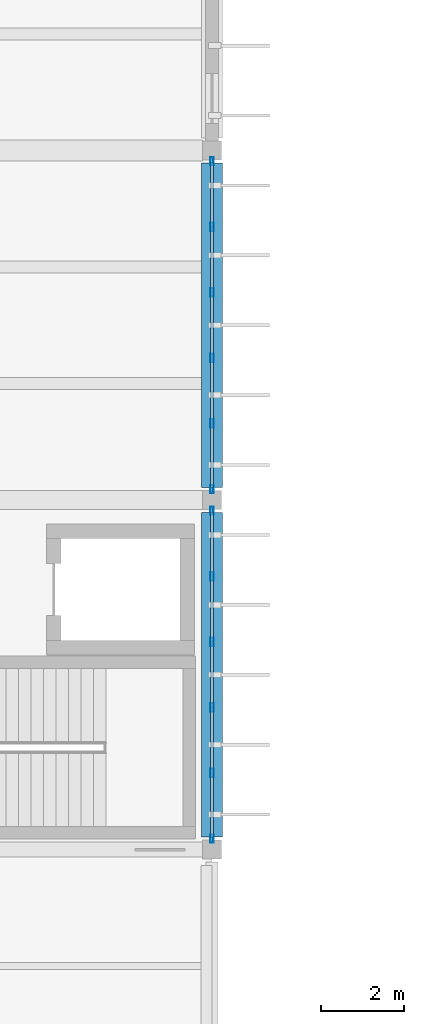
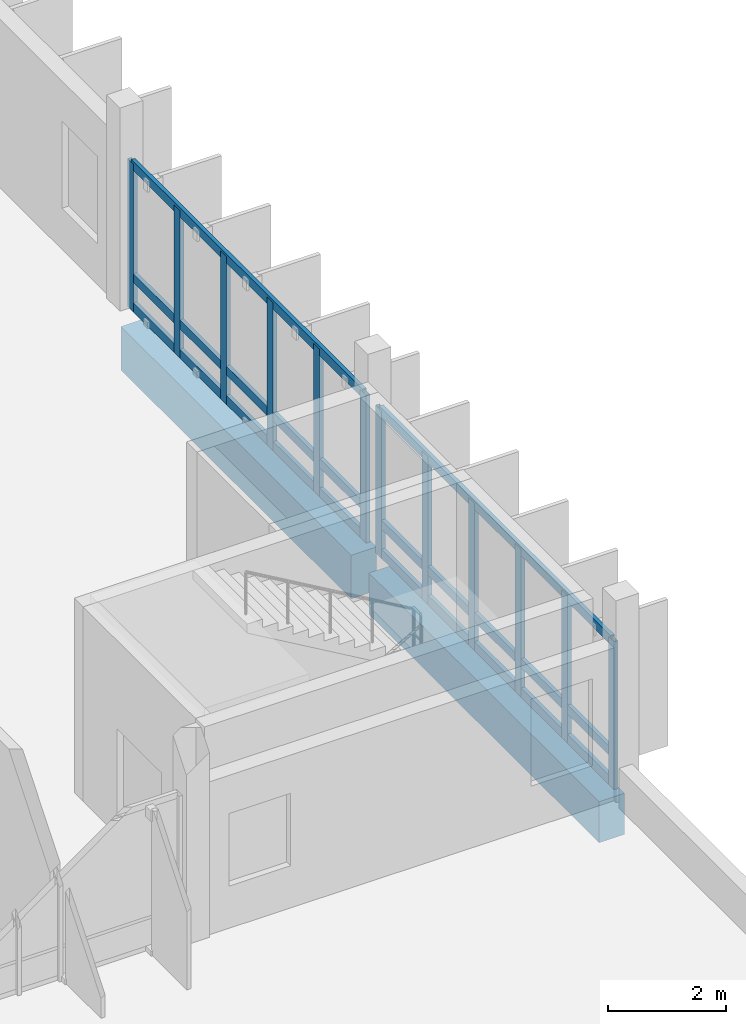
# One storey, part 31 of 62: 18 members, 2 beams, 2 elements without a shape of their own.
"""IFC4 building model written with IfcOpenShell, lengths in metres."""

import ifcopenshell
import ifcopenshell.guid

model = None  # the IFC model being written
_history = None  # IfcOwnerHistory: only IFC2X3 demands one
_inside = {}  # id of a spatial element -> (the spatial element, [elements in it])
_under = {}  # id of a project, library or spatial element -> (it, [spatial elements below it])
_declared = {}  # id of a project -> (the project, [libraries it declares])
_typed = {}  # id of a type object -> (the type object, [elements of that type])
_made_of = {}  # id of a material, layer set ... -> (it, [elements and type objects made of it])


def new_model(schema):
    """Start an empty IFC model of exactly this schema.

    Asked for "IFC4X3", IfcOpenShell would pick the latest addendum, in which some entities
    have other attributes; the version numbers below select the first issue.
    IFC2X3 requires an IfcOwnerHistory on every rooted entity: one is made here for all.
    """
    global model, _history
    if schema == "IFC4X3":
        model = ifcopenshell.file(schema_version=(4, 3, 0, 0))
    else:
        model = ifcopenshell.file(schema=schema)
    _inside.clear()
    _under.clear()
    _declared.clear()
    _typed.clear()
    _made_of.clear()
    _history = None
    if model.schema == "IFC2X3":
        org = make("IfcOrganization", Name="unknown")
        user = make(
            "IfcPersonAndOrganization",
            ThePerson=make("IfcPerson", FamilyName="unknown"),
            TheOrganization=org,
        )
        app = make(
            "IfcApplication",
            ApplicationDeveloper=org,
            Version="unknown",
            ApplicationFullName="unknown",
            ApplicationIdentifier="unknown",
        )
        _history = make(
            "IfcOwnerHistory",
            OwningUser=user,
            OwningApplication=app,
            ChangeAction="ADDED",
            CreationDate=0,
        )
    return model


def make(cls, **values):
    """One entity of the class cls with the attributes given. An attribute that is None is left unset."""
    return model.create_entity(
        cls, **{name: value for name, value in values.items() if value is not None}
    )


def rooted(cls, **values):
    """An entity with a GlobalId (a new one), such as an element, a storey or a relation."""
    return make(cls, GlobalId=ifcopenshell.guid.new(), OwnerHistory=_history, **values)


def si_unit(unit_type, name, prefix=None):
    """IfcSIUnit, for example si_unit("LENGTHUNIT", "METRE", prefix="MILLI")."""
    return make("IfcSIUnit", UnitType=unit_type, Prefix=prefix, Name=name)


def assignment(units):
    """IfcUnitAssignment: the units of a project."""
    return None if units is None else make("IfcUnitAssignment", Units=units)


def point(xyz):
    """IfcCartesianPoint."""
    return None if xyz is None else make("IfcCartesianPoint", Coordinates=xyz)


def direction(xyz):
    """IfcDirection."""
    return None if xyz is None else make("IfcDirection", DirectionRatios=xyz)


def frame(location, z_axis=None, x_axis=None):
    """IfcAxis2Placement3D, a coordinate frame: its origin and axes. An axis left out is left unset."""
    return make(
        "IfcAxis2Placement3D",
        Location=point(location),
        Axis=direction(z_axis),
        RefDirection=direction(x_axis),
    )


def frame_2d(location, x_axis=None):
    """IfcAxis2Placement2D, a coordinate frame in the plane: its origin and x axis."""
    return make(
        "IfcAxis2Placement2D", Location=point(location), RefDirection=direction(x_axis)
    )


def origin():
    """The frame at (0, 0, 0) with its axes left unset."""
    return frame((0.0, 0.0, 0.0))


def origin_2d():
    """The frame at (0, 0) in the plane with its x axis left unset."""
    return frame_2d((0.0, 0.0))


def place(relative_to, where):
    """IfcLocalPlacement: puts the frame where relative to a parent placement (None: the world)."""
    return make(
        "IfcLocalPlacement", PlacementRelTo=relative_to, RelativePlacement=where
    )


def context(
    kind, dimensions, precision=None, world=None, true_north=None, identifier=None
):
    """IfcGeometricRepresentationContext, for example the 3D "Model" context."""
    return make(
        "IfcGeometricRepresentationContext",
        ContextIdentifier=identifier,
        ContextType=kind,
        CoordinateSpaceDimension=dimensions,
        Precision=precision,
        WorldCoordinateSystem=world,
        TrueNorth=true_north,
    )


def subcontext(parent, identifier, kind, view, scale=None):
    """IfcGeometricRepresentationSubContext, for example "Body" below "Model"."""
    return make(
        "IfcGeometricRepresentationSubContext",
        ContextIdentifier=identifier,
        ContextType=kind,
        ParentContext=parent,
        TargetScale=scale,
        TargetView=view,
    )


def project(units=None, contexts=None):
    """IfcProject with its units and contexts."""
    return rooted(
        "IfcProject",
        Name="project",
        RepresentationContexts=contexts,
        UnitsInContext=assignment(units),
    )


def spatial(cls, under=None, at=None, **own):
    """A site, building, storey or space (cls), placed at a placement, below another one or the project."""
    s = rooted(cls, ObjectPlacement=at, **own)
    if under is not None:
        _under.setdefault(under.id(), (under, []))[1].append(s)
    return s


def profile(cls, at=None, kind="AREA", **sizes):
    """A parametric profile (cls). Its sizes go by their IFC names, for example OverallWidth=200.0."""
    return make(cls, ProfileType=kind, Position=at, **sizes)


def rectangle(**sizes):
    """IfcRectangleProfileDef."""
    return profile("IfcRectangleProfileDef", **sizes)


def hollow_rectangle(**sizes):
    """IfcRectangleHollowProfileDef."""
    return profile("IfcRectangleHollowProfileDef", **sizes)


def extrude(swept, where, along, depth):
    """IfcExtrudedAreaSolid: the profile swept, set in the frame where, extruded along a direction by depth."""
    return make(
        "IfcExtrudedAreaSolid",
        SweptArea=swept,
        Position=where,
        ExtrudedDirection=direction(along),
        Depth=depth,
    )


def shape(context_of_items, identifier, shape_type, items):
    """IfcShapeRepresentation: the items that make up one representation, for example the "Body"."""
    return make(
        "IfcShapeRepresentation",
        ContextOfItems=context_of_items,
        RepresentationIdentifier=identifier,
        RepresentationType=shape_type,
        Items=items,
    )


def material(Name=None, Category=None):
    """IfcMaterial."""
    return make("IfcMaterial", Name=Name, Category=Category)


def layer(
    of_material, thickness, ventilated=None, Name=None, Category=None, Priority=None
):
    """IfcMaterialLayer: one layer of a wall or slab, of a material (None: an air gap)."""
    return make(
        "IfcMaterialLayer",
        Material=of_material,
        LayerThickness=thickness,
        IsVentilated=ventilated,
        Name=Name,
        Category=Category,
        Priority=Priority,
    )


def layer_set(layers, Name=None):
    """IfcMaterialLayerSet."""
    return make("IfcMaterialLayerSet", MaterialLayers=layers, LayerSetName=Name)


def material_profile(
    of_material, cross_section, Name=None, Category=None, Priority=None
):
    """IfcMaterialProfile: a cross section and its material."""
    return make(
        "IfcMaterialProfile",
        Name=Name,
        Material=of_material,
        Profile=cross_section,
        Priority=Priority,
        Category=Category,
    )


def profile_set(profiles, Name=None, composite=None):
    """IfcMaterialProfileSet."""
    return make(
        "IfcMaterialProfileSet",
        Name=Name,
        MaterialProfiles=profiles,
        CompositeProfile=composite,
    )


def made_of(thing, what):
    """Note that an element or type object is made of a material, layer set ...; save() writes the relation."""
    if what is not None:
        _made_of.setdefault(what.id(), (what, []))[1].append(thing)
    return thing


def type_object(cls, material=None, **own):
    """A type object (cls), such as IfcWallType, which elements share."""
    return made_of(rooted(cls, **own), material)


def element(
    cls,
    number,
    at=None,
    inside=None,
    cuts=None,
    type_object=None,
    material=None,
    context=None,
    identifier="Body",
    shape_type=None,
    held_by="IfcProductDefinitionShape",
    body=None,
    shapes=None,
    **own,
):
    """One element of the class cls, such as IfcWall. Its Tag is "e" and its number.

    at: its placement. inside: the storey or other place that contains it. cuts: it is an
    opening in that element (IfcRelVoidsElement). A single representation is given by context,
    identifier, shape_type and body (its items); several are given by shapes. held_by: the class
    of the entity that holds the representations. save() writes the other relations.
    """
    e = rooted(cls, Tag="e%d" % number, ObjectPlacement=at, **own)
    if body is not None:
        shapes = [shape(context, identifier, shape_type, body)]
    if shapes is not None:
        e.Representation = make(held_by, Representations=shapes)
    if inside is not None:
        _inside.setdefault(inside.id(), (inside, []))[1].append(e)
    if cuts is not None:
        rooted(
            "IfcRelVoidsElement", RelatingBuildingElement=cuts, RelatedOpeningElement=e
        )
    if type_object is not None:
        _typed.setdefault(type_object.id(), (type_object, []))[1].append(e)
    return made_of(e, material)


def aggregate(whole, parts):
    """IfcRelAggregates: a whole, such as a stair, and the parts it consists of."""
    return rooted("IfcRelAggregates", RelatingObject=whole, RelatedObjects=parts)


def save(model, path):
    """Write the relations noted so far, then the file.

    IfcRelAggregates (storeys below a building ...), IfcRelContainedInSpatialStructure (elements
    in a storey), IfcRelDefinesByType, IfcRelAssociatesMaterial and IfcRelDeclares: one each for
    every whole, place, type object, material and project.
    """
    for whole, parts in _under.values():
        aggregate(whole, parts)
    for where, things in _inside.values():
        rooted(
            "IfcRelContainedInSpatialStructure",
            RelatedElements=things,
            RelatingStructure=where,
        )
    for kind, things in _typed.values():
        rooted("IfcRelDefinesByType", RelatedObjects=things, RelatingType=kind)
    for what, things in _made_of.values():
        rooted("IfcRelAssociatesMaterial", RelatedObjects=things, RelatingMaterial=what)
    for by, libraries in _declared.values():
        rooted("IfcRelDeclares", RelatingContext=by, RelatedDefinitions=libraries)
    model.write(path)


model = new_model("IFC4")

# Units and contexts
model_context = context("Model", 3, precision=1e-05, world=origin(), true_north=direction((0.0, 1.0)))
body_context = subcontext(model_context, "Body", "Model", "MODEL_VIEW")
ifc_project = project(units=[si_unit("LENGTHUNIT", "METRE"), si_unit("AREAUNIT", "SQUARE_METRE"), si_unit("VOLUMEUNIT", "CUBIC_METRE"), si_unit("PLANEANGLEUNIT", "RADIAN"), si_unit("MASSUNIT", "GRAM", prefix="KILO")], contexts=[model_context])

# Site, building, storey
site_placement = place(None, origin())
site = spatial("IfcSite", under=ifc_project, at=site_placement, CompositionType="ELEMENT")
building_placement = place(site_placement, origin())
building = spatial("IfcBuilding", under=site, at=building_placement, Name="Vireocrest Preparatory School", CompositionType="ELEMENT")
storey_placement = place(building_placement, frame((0.0, 0.0, 17.39990234375)))
storey = spatial("IfcBuildingStorey", under=building, at=storey_placement, Name="L04", CompositionType="ELEMENT", Elevation=17.39990234375)

# Curtain wall, members
ifc_material_1 = material(Name="Thermally broken aluminium EN AW-6063-T6", Category="aluminium")
ifc_layer = layer(ifc_material_1, 0.179931640625)
ifc_layer_set = layer_set([ifc_layer], Name="Thermally broken aluminium EN AW-6063-T6")
curtain_wall_type = type_object("IfcCurtainWallType", Name="Teaching Fin Curtain Wall 8400x4200", PredefinedType="USERDEFINED", material=ifc_layer_set)
curtain_wall_1_placement = place(storey_placement, origin())
curtain_wall_1 = element("IfcCurtainWall", 1, at=curtain_wall_1_placement, inside=storey, type_object=curtain_wall_type, Name="Curtain Wall CW03 CW_L04_CW03_1092_0440_174", ObjectType="CURTAIN WALL", PredefinedType="USERDEFINED")
ifc_material_profile_1 = material_profile(ifc_material_1, hollow_rectangle(XDim=0.074951171875, YDim=0.199951171875, WallThickness=0.0048828125, at=origin_2d()), Name="ALU 75x200x5")
ifc_profile_set_1 = profile_set([ifc_material_profile_1], Name="Thermally broken aluminium EN AW-6063-T6")
member_type_1 = type_object("IfcMemberType", Name="CW Mullion 75x200x5", PredefinedType="MULLION", material=ifc_profile_set_1)
member_1_placement = place(storey_placement, frame((109.199951171875, 44.06005859375, 0.0), z_axis=(0.0, 0.0, 1.0), x_axis=(1.0, 0.0, 0.0)))
member_1 = element("IfcMember", 2, at=member_1_placement, type_object=member_type_1, Name="CW Mullion ML3 CW_L04_CW03_1092_0440_174-1", PredefinedType="MULLION", context=body_context, shape_type="SweptSolid", body=[
    extrude(hollow_rectangle(XDim=0.074951171875, YDim=0.199951171875, WallThickness=0.0048828125, at=origin_2d()), origin(), (0.0, 0.0, 1.0), 3.05517578125),
])
member_2_placement = place(storey_placement, frame((109.199951171875, 45.635986328125, 0.0), z_axis=(0.0, 0.0, 1.0), x_axis=(1.0, 0.0, 0.0)))
member_2 = element("IfcMember", 3, at=member_2_placement, type_object=member_type_1, Name="CW Mullion ML3 CW_L04_CW03_1092_0440_174-2", PredefinedType="MULLION", context=body_context, shape_type="SweptSolid", body=[
    extrude(hollow_rectangle(XDim=0.074951171875, YDim=0.199951171875, WallThickness=0.0048828125, at=origin_2d()), origin(), (0.0, 0.0, 1.0), 3.05517578125),
])
member_3_placement = place(storey_placement, frame((109.199951171875, 47.2119140625, 0.0), z_axis=(0.0, 0.0, 1.0), x_axis=(1.0, 0.0, 0.0)))
member_3 = element("IfcMember", 4, at=member_3_placement, type_object=member_type_1, Name="CW Mullion ML3 CW_L04_CW03_1092_0440_174-3", PredefinedType="MULLION", context=body_context, shape_type="SweptSolid", body=[
    extrude(hollow_rectangle(XDim=0.074951171875, YDim=0.199951171875, WallThickness=0.0048828125, at=origin_2d()), origin(), (0.0, 0.0, 1.0), 3.05517578125),
])
member_4_placement = place(storey_placement, frame((109.199951171875, 48.7880859375, 0.0), z_axis=(0.0, 0.0, 1.0), x_axis=(1.0, 0.0, 0.0)))
member_4 = element("IfcMember", 5, at=member_4_placement, type_object=member_type_1, Name="CW Mullion ML3 CW_L04_CW03_1092_0440_174-4", PredefinedType="MULLION", context=body_context, shape_type="SweptSolid", body=[
    extrude(hollow_rectangle(XDim=0.074951171875, YDim=0.199951171875, WallThickness=0.0048828125, at=origin_2d()), origin(), (0.0, 0.0, 1.0), 3.05517578125),
])
member_5_placement = place(storey_placement, frame((109.199951171875, 50.364013671875, 0.0), z_axis=(0.0, 0.0, 1.0), x_axis=(1.0, 0.0, 0.0)))
member_5 = element("IfcMember", 6, at=member_5_placement, type_object=member_type_1, Name="CW Mullion ML3 CW_L04_CW03_1092_0440_174-5", PredefinedType="MULLION", context=body_context, shape_type="SweptSolid", body=[
    extrude(hollow_rectangle(XDim=0.074951171875, YDim=0.199951171875, WallThickness=0.0048828125, at=origin_2d()), origin(), (0.0, 0.0, 1.0), 3.05517578125),
])
member_6_placement = place(storey_placement, frame((109.199951171875, 51.93994140625, 0.0), z_axis=(0.0, 0.0, 1.0), x_axis=(1.0, 0.0, 0.0)))
member_6 = element("IfcMember", 7, at=member_6_placement, type_object=member_type_1, Name="CW Mullion ML3 CW_L04_CW03_1092_0440_174-6", PredefinedType="MULLION", context=body_context, shape_type="SweptSolid", body=[
    extrude(hollow_rectangle(XDim=0.074951171875, YDim=0.199951171875, WallThickness=0.0048828125, at=origin_2d()), origin(), (0.0, 0.0, 1.0), 3.05517578125),
])

curtain_wall_2_placement = place(storey_placement, origin())
curtain_wall_2 = element("IfcCurtainWall", 8, at=curtain_wall_2_placement, inside=storey, type_object=curtain_wall_type, Name="Curtain Wall CW03 CW_L04_CW03_1092_0524_174", ObjectType="CURTAIN WALL", PredefinedType="USERDEFINED")
member_7_placement = place(storey_placement, frame((109.199951171875, 52.4599609375, 0.0), z_axis=(0.0, 0.0, 1.0), x_axis=(1.0, 0.0, 0.0)))
member_7 = element("IfcMember", 9, at=member_7_placement, type_object=member_type_1, Name="CW Mullion ML3 CW_L04_CW03_1092_0524_174-1", PredefinedType="MULLION", context=body_context, shape_type="SweptSolid", body=[
    extrude(hollow_rectangle(XDim=0.074951171875, YDim=0.199951171875, WallThickness=0.0048828125, at=origin_2d()), origin(), (0.0, 0.0, 1.0), 3.05517578125),
])
member_8_placement = place(storey_placement, frame((109.199951171875, 54.035888671875, 0.0), z_axis=(0.0, 0.0, 1.0), x_axis=(1.0, 0.0, 0.0)))
member_8 = element("IfcMember", 10, at=member_8_placement, type_object=member_type_1, Name="CW Mullion ML3 CW_L04_CW03_1092_0524_174-2", PredefinedType="MULLION", context=body_context, shape_type="SweptSolid", body=[
    extrude(hollow_rectangle(XDim=0.074951171875, YDim=0.199951171875, WallThickness=0.0048828125, at=origin_2d()), origin(), (0.0, 0.0, 1.0), 3.05517578125),
])
member_9_placement = place(storey_placement, frame((109.199951171875, 55.612060546875, 0.0), z_axis=(0.0, 0.0, 1.0), x_axis=(1.0, 0.0, 0.0)))
member_9 = element("IfcMember", 11, at=member_9_placement, type_object=member_type_1, Name="CW Mullion ML3 CW_L04_CW03_1092_0524_174-3", PredefinedType="MULLION", context=body_context, shape_type="SweptSolid", body=[
    extrude(hollow_rectangle(XDim=0.074951171875, YDim=0.199951171875, WallThickness=0.0048828125, at=origin_2d()), origin(), (0.0, 0.0, 1.0), 3.05517578125),
])
member_10_placement = place(storey_placement, frame((109.199951171875, 57.18798828125, 0.0), z_axis=(0.0, 0.0, 1.0), x_axis=(1.0, 0.0, 0.0)))
member_10 = element("IfcMember", 12, at=member_10_placement, type_object=member_type_1, Name="CW Mullion ML3 CW_L04_CW03_1092_0524_174-4", PredefinedType="MULLION", context=body_context, shape_type="SweptSolid", body=[
    extrude(hollow_rectangle(XDim=0.074951171875, YDim=0.199951171875, WallThickness=0.0048828125, at=origin_2d()), origin(), (0.0, 0.0, 1.0), 3.05517578125),
])
member_11_placement = place(storey_placement, frame((109.199951171875, 58.763916015625, 0.0), z_axis=(0.0, 0.0, 1.0), x_axis=(1.0, 0.0, 0.0)))
member_11 = element("IfcMember", 13, at=member_11_placement, type_object=member_type_1, Name="CW Mullion ML3 CW_L04_CW03_1092_0524_174-5", PredefinedType="MULLION", context=body_context, shape_type="SweptSolid", body=[
    extrude(hollow_rectangle(XDim=0.074951171875, YDim=0.199951171875, WallThickness=0.0048828125, at=origin_2d()), origin(), (0.0, 0.0, 1.0), 3.05517578125),
])
member_12_placement = place(storey_placement, frame((109.199951171875, 60.340087890625, 0.0), z_axis=(0.0, 0.0, 1.0), x_axis=(1.0, 0.0, 0.0)))
member_12 = element("IfcMember", 14, at=member_12_placement, type_object=member_type_1, Name="CW Mullion ML3 CW_L04_CW03_1092_0524_174-6", PredefinedType="MULLION", context=body_context, shape_type="SweptSolid", body=[
    extrude(hollow_rectangle(XDim=0.074951171875, YDim=0.199951171875, WallThickness=0.0048828125, at=origin_2d()), origin(), (0.0, 0.0, 1.0), 3.05517578125),
])

# Member
ifc_material_profile_2 = material_profile(ifc_material_1, hollow_rectangle(XDim=0.074951171875, YDim=0.18994140625, WallThickness=0.00390625, at=origin_2d()), Name="ALU 75x190x4")
ifc_profile_set_2 = profile_set([ifc_material_profile_2], Name="Thermally broken aluminium EN AW-6063-T6")
member_type_2 = type_object("IfcMemberType", Name="CW Transom 75x190x4", PredefinedType="USERDEFINED", material=ifc_profile_set_2)
member_13_placement = place(storey_placement, frame((109.199951171875, 44.0849609375, 0.09521484375), z_axis=(0.0, 1.0, 0.0), x_axis=(-1.0, 0.0, 0.0)))
member_13 = element("IfcMember", 15, at=member_13_placement, type_object=member_type_2, Name="CW Transom TR3 CW_L04_CW03_1092_0440_174-1", ObjectType="TRANSOM", PredefinedType="USERDEFINED", context=body_context, shape_type="SweptSolid", body=[
    extrude(hollow_rectangle(XDim=0.074951171875, YDim=0.18994140625, WallThickness=0.00390625, at=origin_2d()), origin(), (0.0, 0.0, 1.0), 7.830078125),
])

member_14_placement = place(storey_placement, frame((109.199951171875, 44.0849609375, 0.7001953125), z_axis=(0.0, 1.0, 0.0), x_axis=(-1.0, 0.0, 0.0)))
member_14 = element("IfcMember", 16, at=member_14_placement, type_object=member_type_2, Name="CW Transom TR3 CW_L04_CW03_1092_0440_174-2", ObjectType="TRANSOM", PredefinedType="USERDEFINED", context=body_context, shape_type="SweptSolid", body=[
    extrude(hollow_rectangle(XDim=0.074951171875, YDim=0.18994140625, WallThickness=0.00390625, at=origin_2d()), origin(), (0.0, 0.0, 1.0), 7.830078125),
])

member_15_placement = place(storey_placement, frame((109.199951171875, 44.0849609375, 3.01513671875), z_axis=(0.0, 1.0, 0.0), x_axis=(-1.0, 0.0, 0.0)))
member_15 = element("IfcMember", 17, at=member_15_placement, type_object=member_type_2, Name="CW Transom TR3 CW_L04_CW03_1092_0440_174-3", ObjectType="TRANSOM", PredefinedType="USERDEFINED", context=body_context, shape_type="SweptSolid", body=[
    extrude(hollow_rectangle(XDim=0.074951171875, YDim=0.18994140625, WallThickness=0.00390625, at=origin_2d()), origin(), (0.0, 0.0, 1.0), 7.830078125),
])

aggregate(curtain_wall_1, [member_1, member_2, member_3, member_4, member_5, member_6, member_13, member_14, member_15])

member_16_placement = place(storey_placement, frame((109.199951171875, 52.485107421875, 0.09521484375), z_axis=(0.0, 1.0, 0.0), x_axis=(-1.0, 0.0, 0.0)))
member_16 = element("IfcMember", 18, at=member_16_placement, type_object=member_type_2, Name="CW Transom TR3 CW_L04_CW03_1092_0524_174-1", ObjectType="TRANSOM", PredefinedType="USERDEFINED", context=body_context, shape_type="SweptSolid", body=[
    extrude(hollow_rectangle(XDim=0.074951171875, YDim=0.18994140625, WallThickness=0.00390625, at=origin_2d()), origin(), (0.0, 0.0, 1.0), 7.829833984375),
])

member_17_placement = place(storey_placement, frame((109.199951171875, 52.485107421875, 0.7001953125), z_axis=(0.0, 1.0, 0.0), x_axis=(-1.0, 0.0, 0.0)))
member_17 = element("IfcMember", 19, at=member_17_placement, type_object=member_type_2, Name="CW Transom TR3 CW_L04_CW03_1092_0524_174-2", ObjectType="TRANSOM", PredefinedType="USERDEFINED", context=body_context, shape_type="SweptSolid", body=[
    extrude(hollow_rectangle(XDim=0.074951171875, YDim=0.18994140625, WallThickness=0.00390625, at=origin_2d()), origin(), (0.0, 0.0, 1.0), 7.829833984375),
])

member_18_placement = place(storey_placement, frame((109.199951171875, 52.485107421875, 3.01513671875), z_axis=(0.0, 1.0, 0.0), x_axis=(-1.0, 0.0, 0.0)))
member_18 = element("IfcMember", 20, at=member_18_placement, type_object=member_type_2, Name="CW Transom TR3 CW_L04_CW03_1092_0524_174-3", ObjectType="TRANSOM", PredefinedType="USERDEFINED", context=body_context, shape_type="SweptSolid", body=[
    extrude(hollow_rectangle(XDim=0.074951171875, YDim=0.18994140625, WallThickness=0.00390625, at=origin_2d()), origin(), (0.0, 0.0, 1.0), 7.829833984375),
])

aggregate(curtain_wall_2, [member_7, member_8, member_9, member_10, member_11, member_12, member_16, member_17, member_18])

# Beams
ifc_material_2 = material(Name="Concrete 40 MPa", Category="concrete")
ifc_material_profile_3 = material_profile(ifc_material_2, rectangle(XDim=0.5, YDim=0.85009765625, at=origin_2d()), Name="RC 500x850")
ifc_profile_set_3 = profile_set([ifc_material_profile_3], Name="Concrete 40 MPa")
beam_type_1 = type_object("IfcBeamType", Name="RC Podium Girder 500x850", PredefinedType="BEAM", material=ifc_profile_set_3)
beam_1_placement = place(storey_placement, frame((109.199951171875, 44.10009765625, -0.684814453125), z_axis=(0.0, 1.0, 0.0), x_axis=(-1.0, 0.0, 0.0)))
element("IfcBeam", 21, at=beam_1_placement, inside=storey, type_object=beam_type_1, Name="Primary Girder B14 L04-1411", PredefinedType="BEAM", context=body_context, shape_type="SweptSolid", body=[
    extrude(rectangle(XDim=0.5, YDim=0.85009765625, at=origin_2d()), origin(), (0.0, 0.0, 1.0), 7.7998046875),
])
ifc_material_profile_4 = material_profile(ifc_material_2, rectangle(XDim=0.5, YDim=0.89990234375, at=origin_2d()), Name="RC 500x900")
ifc_profile_set_4 = profile_set([ifc_material_profile_4], Name="Concrete 40 MPa")
beam_type_2 = type_object("IfcBeamType", Name="RC Podium Girder 500x900", PredefinedType="BEAM", material=ifc_profile_set_4)
beam_2_placement = place(storey_placement, frame((109.199951171875, 52.5, -0.7099609375), z_axis=(0.0, 1.0, 0.0), x_axis=(-1.0, 0.0, 0.0)))
element("IfcBeam", 22, at=beam_2_placement, inside=storey, type_object=beam_type_2, Name="Primary Girder B15 L04-1412", PredefinedType="BEAM", context=body_context, shape_type="SweptSolid", body=[
    extrude(rectangle(XDim=0.5, YDim=0.89990234375, at=origin_2d()), origin(), (0.0, 0.0, 1.0), 7.800048828125),
])

save(model, "model.ifc")
